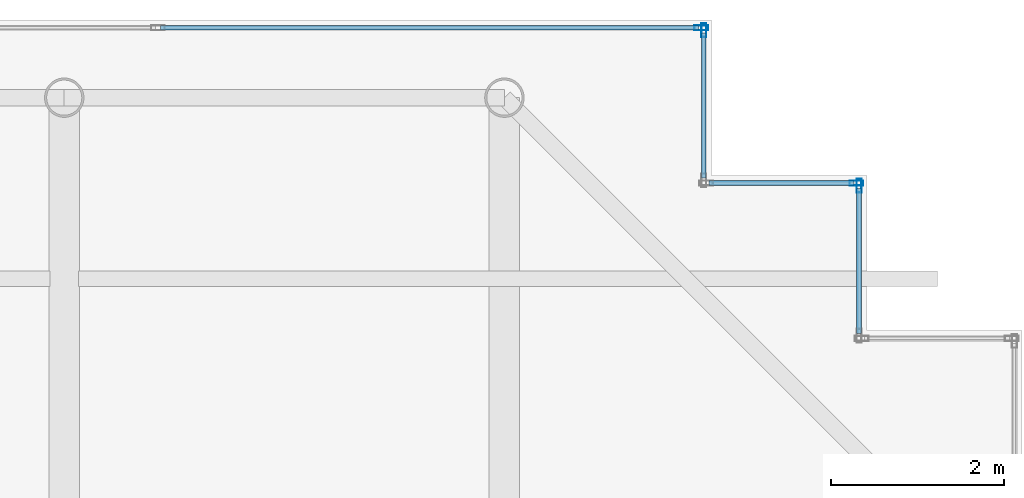
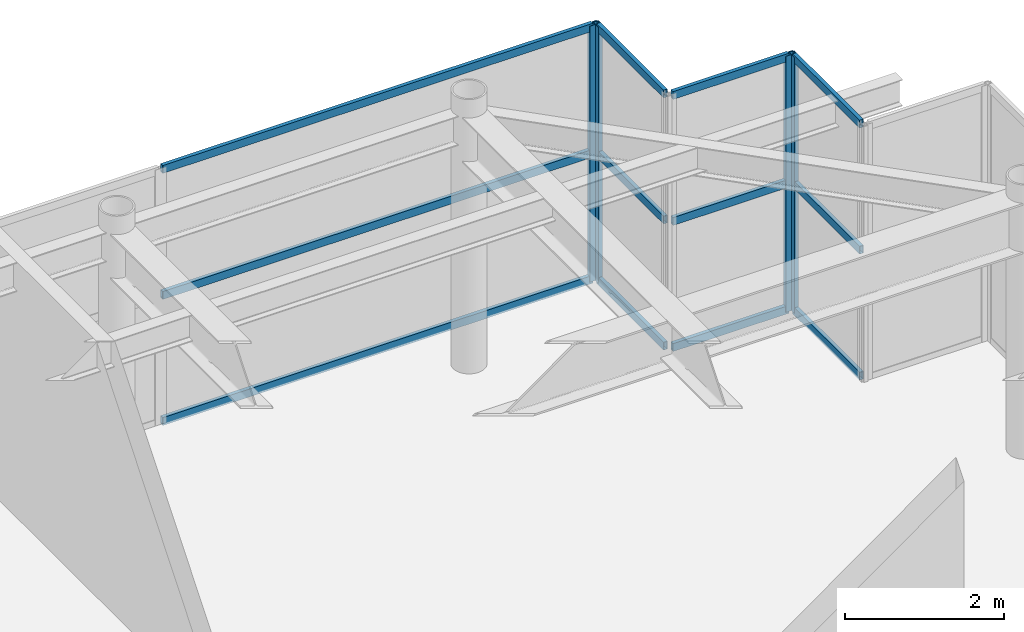
# One storey, part 28 of 33: 16 members, 4 elements without a shape of their own.
"""IFC4 building model written with IfcOpenShell, lengths in metres."""

from ifc_helpers import new_model, si_unit, direction, frame, origin, origin_2d, place, context, subcontext, project, spatial, hollow_rectangle, extrude, source, transform, mapped, material, layer, layer_set, material_profile, profile_set, type_object, element, aggregate, save


model = new_model("IFC4")

# Units and contexts
model_context = context("Model", 3, precision=1e-05, world=origin(), true_north=direction((0.0, 1.0)))
body_context = subcontext(model_context, "Body", "Model", "MODEL_VIEW")
ifc_project = project(units=[si_unit("LENGTHUNIT", "METRE"), si_unit("AREAUNIT", "SQUARE_METRE"), si_unit("VOLUMEUNIT", "CUBIC_METRE"), si_unit("PLANEANGLEUNIT", "RADIAN"), si_unit("MASSUNIT", "GRAM", prefix="KILO")], contexts=[model_context])

# Site, building, storey
site_placement = place(None, origin())
site = spatial("IfcSite", under=ifc_project, at=site_placement, CompositionType="ELEMENT")
building_placement = place(site_placement, origin())
building = spatial("IfcBuilding", under=site, at=building_placement, Name="Khoralis Quay Care Tower", CompositionType="ELEMENT")
storey_placement = place(building_placement, frame((0.0, 0.0, 302.10009765625)))
storey = spatial("IfcBuildingStorey", under=building, at=storey_placement, Name="L79", CompositionType="ELEMENT", Elevation=302.10009765625)

# Curtain wall, members
ifc_material = material(Name="Pale anodised aluminium", Category="aluminium")
ifc_layer = layer(ifc_material, 0.199951171875)
ifc_layer_set = layer_set([ifc_layer], Name="Pale anodised aluminium")
curtain_wall_type = type_object("IfcCurtainWallType", Name="CW-SYS-LANTERN", PredefinedType="NOTDEFINED", material=ifc_layer_set)
curtain_wall_1_placement = place(storey_placement, origin())
curtain_wall_1 = element("IfcCurtainWall", 1, at=curtain_wall_1_placement, inside=storey, type_object=curtain_wall_type, Name="L79 Unitised Curtain Wall CW-LN-L79-11", PredefinedType="NOTDEFINED")
ifc_material_profile_1 = material_profile(ifc_material, hollow_rectangle(XDim=0.054931640625, YDim=0.1201171875, WallThickness=0.00390625, at=origin_2d()), Name="Pale anodised aluminium")
ifc_profile_set_1 = profile_set([ifc_material_profile_1], Name="Pale anodised aluminium")
member_type_1 = type_object("IfcMemberType", Name="CW-TRN-120", PredefinedType="USERDEFINED", material=ifc_profile_set_1)
shared_shape_1 = source(origin(), body_context, "Body", "SweptSolid", [
    extrude(hollow_rectangle(XDim=0.054931640625, YDim=0.1201171875, WallThickness=0.00390625, at=origin_2d()), origin(), (0.0, 0.0, 1.0), 6.23388671875),
])
member_1_placement = place(storey_placement, frame((38.25, 41.909912109375, 0.02978515625), z_axis=(-1.0, 0.0, 0.0), x_axis=(0.0, -1.0, 0.0)))
member_1 = element("IfcMember", 2, at=member_1_placement, type_object=member_type_1, Name="CW5 transom 1.1", ObjectType="TRANSOM", PredefinedType="USERDEFINED", context=body_context, shape_type="MappedRepresentation", body=[
    mapped(shared_shape_1, transform((0.0, 0.0, 0.0), scale=1.0)),
])
member_2_placement = place(storey_placement, frame((38.25, 41.909912109375, 1.9599609375), z_axis=(-1.0, 0.0, 0.0), x_axis=(0.0, -1.0, 0.0)))
member_2 = element("IfcMember", 3, at=member_2_placement, type_object=member_type_1, Name="CW5 transom 1.2", ObjectType="TRANSOM", PredefinedType="USERDEFINED", context=body_context, shape_type="MappedRepresentation", body=[
    mapped(shared_shape_1, transform((0.0, 0.0, 0.0), scale=1.0)),
])
member_3_placement = place(storey_placement, frame((38.25, 41.909912109375, 3.889892578125), z_axis=(-1.0, 0.0, 0.0), x_axis=(0.0, -1.0, 0.0)))
member_3 = element("IfcMember", 4, at=member_3_placement, type_object=member_type_1, Name="CW5 transom 1.3", ObjectType="TRANSOM", PredefinedType="USERDEFINED", context=body_context, shape_type="MappedRepresentation", body=[
    mapped(shared_shape_1, transform((0.0, 0.0, 0.0), scale=1.0)),
])

curtain_wall_2_placement = place(storey_placement, origin())
curtain_wall_2 = element("IfcCurtainWall", 5, at=curtain_wall_2_placement, inside=storey, type_object=curtain_wall_type, Name="L79 Unitised Curtain Wall CW-LN-L79-10", PredefinedType="NOTDEFINED")
shared_shape_2 = source(origin(), body_context, "Body", "SweptSolid", [
    extrude(hollow_rectangle(XDim=0.054931640625, YDim=0.1201171875, WallThickness=0.00390625, at=origin_2d()), origin(), (0.0, 0.0, 1.0), 1.68017578125),
])
member_4_placement = place(storey_placement, frame((38.31005859375, 40.169921875, 0.02978515625), z_axis=(0.0, 1.0, 0.0), x_axis=(-1.0, 0.0, 0.0)))
member_4 = element("IfcMember", 6, at=member_4_placement, type_object=member_type_1, Name="CW5 transom 1.1", ObjectType="TRANSOM", PredefinedType="USERDEFINED", context=body_context, shape_type="MappedRepresentation", body=[
    mapped(shared_shape_2, transform((0.0, 0.0, 0.0), scale=1.0)),
])
member_5_placement = place(storey_placement, frame((38.31005859375, 40.169921875, 1.9599609375), z_axis=(0.0, 1.0, 0.0), x_axis=(-1.0, 0.0, 0.0)))
member_5 = element("IfcMember", 7, at=member_5_placement, type_object=member_type_1, Name="CW5 transom 1.2", ObjectType="TRANSOM", PredefinedType="USERDEFINED", context=body_context, shape_type="MappedRepresentation", body=[
    mapped(shared_shape_2, transform((0.0, 0.0, 0.0), scale=1.0)),
])
member_6_placement = place(storey_placement, frame((38.31005859375, 40.169921875, 3.889892578125), z_axis=(0.0, 1.0, 0.0), x_axis=(-1.0, 0.0, 0.0)))
member_6 = element("IfcMember", 8, at=member_6_placement, type_object=member_type_1, Name="CW5 transom 1.3", ObjectType="TRANSOM", PredefinedType="USERDEFINED", context=body_context, shape_type="MappedRepresentation", body=[
    mapped(shared_shape_2, transform((0.0, 0.0, 0.0), scale=1.0)),
])

curtain_wall_3_placement = place(storey_placement, origin())
curtain_wall_3 = element("IfcCurtainWall", 9, at=curtain_wall_3_placement, inside=storey, type_object=curtain_wall_type, Name="L79 Unitised Curtain Wall CW-LN-L79-08", PredefinedType="NOTDEFINED")
shared_shape_3 = source(origin(), body_context, "Body", "SweptSolid", [
    extrude(hollow_rectangle(XDim=0.054931640625, YDim=0.1201171875, WallThickness=0.00390625, at=origin_2d()), origin(), (0.0, 0.0, 1.0), 1.679931640625),
])
member_7_placement = place(storey_placement, frame((40.110107421875, 38.3701171875, 0.02978515625), z_axis=(0.0, 1.0, 0.0), x_axis=(-1.0, 0.0, 0.0)))
member_7 = element("IfcMember", 10, at=member_7_placement, type_object=member_type_1, Name="CW5 transom 1.1", ObjectType="TRANSOM", PredefinedType="USERDEFINED", context=body_context, shape_type="MappedRepresentation", body=[
    mapped(shared_shape_3, transform((0.0, 0.0, 0.0), scale=1.0)),
])
member_8_placement = place(storey_placement, frame((40.110107421875, 38.3701171875, 1.9599609375), z_axis=(0.0, 1.0, 0.0), x_axis=(-1.0, 0.0, 0.0)))
member_8 = element("IfcMember", 11, at=member_8_placement, type_object=member_type_1, Name="CW5 transom 1.2", ObjectType="TRANSOM", PredefinedType="USERDEFINED", context=body_context, shape_type="MappedRepresentation", body=[
    mapped(shared_shape_3, transform((0.0, 0.0, 0.0), scale=1.0)),
])
member_9_placement = place(storey_placement, frame((40.110107421875, 38.3701171875, 3.889892578125), z_axis=(0.0, 1.0, 0.0), x_axis=(-1.0, 0.0, 0.0)))
member_9 = element("IfcMember", 12, at=member_9_placement, type_object=member_type_1, Name="CW5 transom 1.3", ObjectType="TRANSOM", PredefinedType="USERDEFINED", context=body_context, shape_type="MappedRepresentation", body=[
    mapped(shared_shape_3, transform((0.0, 0.0, 0.0), scale=1.0)),
])

curtain_wall_4_placement = place(storey_placement, origin())
curtain_wall_4 = element("IfcCurtainWall", 13, at=curtain_wall_4_placement, inside=storey, type_object=curtain_wall_type, Name="L79 Unitised Curtain Wall CW-LN-L79-09", PredefinedType="NOTDEFINED")
member_10_placement = place(storey_placement, frame((40.050048828125, 40.110107421875, 0.02978515625), z_axis=(-1.0, 0.0, 0.0), x_axis=(0.0, -1.0, 0.0)))
member_10 = element("IfcMember", 14, at=member_10_placement, type_object=member_type_1, Name="CW5 transom 1.1", ObjectType="TRANSOM", PredefinedType="USERDEFINED", context=body_context, shape_type="MappedRepresentation", body=[
    mapped(shared_shape_3, transform((0.0, 0.0, 0.0), scale=1.0)),
])
member_11_placement = place(storey_placement, frame((40.050048828125, 40.110107421875, 1.9599609375), z_axis=(-1.0, 0.0, 0.0), x_axis=(0.0, -1.0, 0.0)))
member_11 = element("IfcMember", 15, at=member_11_placement, type_object=member_type_1, Name="CW5 transom 1.2", ObjectType="TRANSOM", PredefinedType="USERDEFINED", context=body_context, shape_type="MappedRepresentation", body=[
    mapped(shared_shape_3, transform((0.0, 0.0, 0.0), scale=1.0)),
])
member_12_placement = place(storey_placement, frame((40.050048828125, 40.110107421875, 3.889892578125), z_axis=(-1.0, 0.0, 0.0), x_axis=(0.0, -1.0, 0.0)))
member_12 = element("IfcMember", 16, at=member_12_placement, type_object=member_type_1, Name="CW5 transom 1.3", ObjectType="TRANSOM", PredefinedType="USERDEFINED", context=body_context, shape_type="MappedRepresentation", body=[
    mapped(shared_shape_3, transform((0.0, 0.0, 0.0), scale=1.0)),
])

# Member
ifc_material_profile_2 = material_profile(ifc_material, hollow_rectangle(XDim=0.06005859375, YDim=0.159912109375, WallThickness=0.00390625, at=origin_2d()), Name="Pale anodised aluminium")
ifc_profile_set_2 = profile_set([ifc_material_profile_2], Name="Pale anodised aluminium")
member_type_2 = type_object("IfcMemberType", Name="CW-MUL-160", PredefinedType="MULLION", material=ifc_profile_set_2)
shared_shape_4 = source(origin(), body_context, "Body", "SweptSolid", [
    extrude(hollow_rectangle(XDim=0.06005859375, YDim=0.159912109375, WallThickness=0.00390625, at=origin_2d()), origin(), (0.0, 0.0, 1.0), 3.919921875),
])
member_13_placement = place(storey_placement, frame((40.110107421875, 40.080078125, 0.0), z_axis=(0.0, 0.0, 1.0), x_axis=(-1.0, 0.0, 0.0)))
member_13 = element("IfcMember", 17, at=member_13_placement, type_object=member_type_2, Name="CW5 mullion 2", PredefinedType="MULLION", context=body_context, shape_type="MappedRepresentation", body=[
    mapped(shared_shape_4, transform((0.0, 0.0, 0.0), scale=1.0)),
])

aggregate(curtain_wall_3, [member_13, member_7, member_8, member_9])

member_14_placement = place(storey_placement, frame((40.080078125, 40.110107421875, 0.0), z_axis=(0.0, 0.0, 1.0), x_axis=(0.0, -1.0, 0.0)))
member_14 = element("IfcMember", 18, at=member_14_placement, type_object=member_type_2, Name="CW5 mullion 1", PredefinedType="MULLION", context=body_context, shape_type="MappedRepresentation", body=[
    mapped(shared_shape_4, transform((0.0, 0.0, 0.0), scale=1.0)),
])

aggregate(curtain_wall_4, [member_14, member_10, member_11, member_12])

member_15_placement = place(storey_placement, frame((38.31005859375, 41.8798828125, 0.0), z_axis=(0.0, 0.0, 1.0), x_axis=(-1.0, 0.0, 0.0)))
member_15 = element("IfcMember", 19, at=member_15_placement, type_object=member_type_2, Name="CW5 mullion 2", PredefinedType="MULLION", context=body_context, shape_type="MappedRepresentation", body=[
    mapped(shared_shape_4, transform((0.0, 0.0, 0.0), scale=1.0)),
])

aggregate(curtain_wall_2, [member_15, member_4, member_5, member_6])

member_16_placement = place(storey_placement, frame((38.280029296875, 41.909912109375, 0.0), z_axis=(0.0, 0.0, 1.0), x_axis=(0.0, -1.0, 0.0)))
member_16 = element("IfcMember", 20, at=member_16_placement, type_object=member_type_2, Name="CW5 mullion 1", PredefinedType="MULLION", context=body_context, shape_type="MappedRepresentation", body=[
    mapped(shared_shape_4, transform((0.0, 0.0, 0.0), scale=1.0)),
])

aggregate(curtain_wall_1, [member_16, member_1, member_2, member_3])

save(model, "model.ifc")
